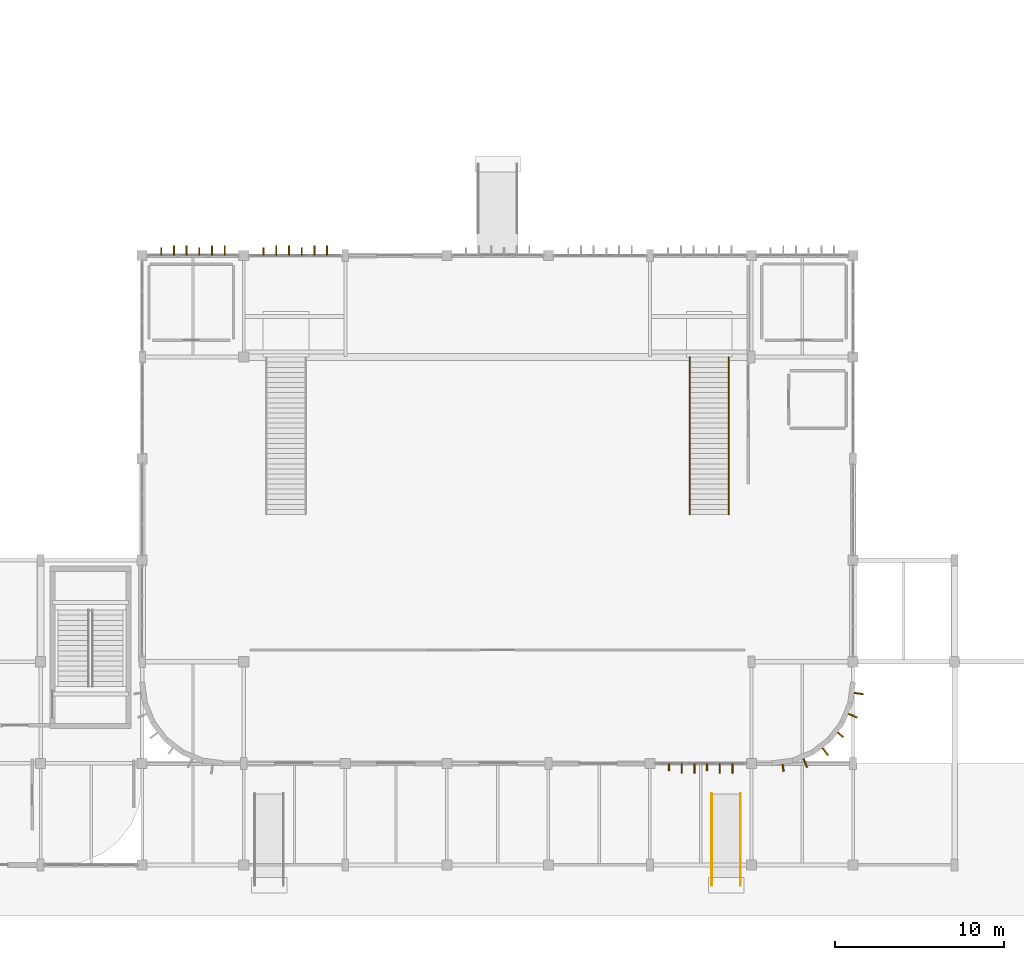
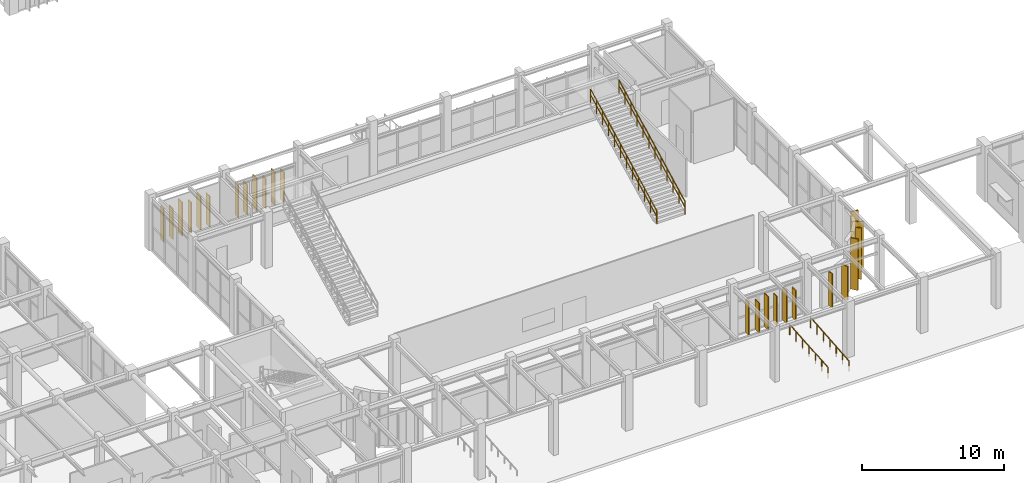
# One storey, part 65 of 76: 18 shading devices, 6 coverings, 4 railings.
"""IFC4 building model written with IfcOpenShell, lengths in metres."""

from ifc_helpers import new_model, si_unit, direction, frame, origin, origin_2d, place, context, subcontext, project, spatial, rectangle, circle, extrude, material, layer, layer_set, type_object, element, save


model = new_model("IFC4")

# Units and contexts
model_context = context("Model", 3, precision=1e-05, world=origin(), true_north=direction((0.0, 1.0)))
body_context = subcontext(model_context, "Body", "Model", "MODEL_VIEW")
ifc_project = project(units=[si_unit("LENGTHUNIT", "METRE"), si_unit("AREAUNIT", "SQUARE_METRE"), si_unit("VOLUMEUNIT", "CUBIC_METRE"), si_unit("PLANEANGLEUNIT", "RADIAN"), si_unit("MASSUNIT", "GRAM", prefix="KILO")], contexts=[model_context])

# Site, building, storey
site_placement = place(None, origin())
site = spatial("IfcSite", under=ifc_project, at=site_placement, CompositionType="ELEMENT")
building_placement = place(site_placement, origin())
building = spatial("IfcBuilding", under=site, at=building_placement, Name="Varnakota Square Police Headquarters", CompositionType="ELEMENT")
storey_placement = place(building_placement, origin())
storey = spatial("IfcBuildingStorey", under=building, at=storey_placement, Name="L00", CompositionType="ELEMENT", Elevation=0.0)

# Coverings
ifc_material_1 = material(Name="White Anodised Aluminium Vertical Facade Blade 420", Category="aluminium")
ifc_layer_1 = layer(ifc_material_1, 0.0849609375, Name="White Anodised Aluminium Vertical Facade Blade 420")
ifc_layer_set_1 = layer_set([ifc_layer_1], Name="White Anodised Aluminium Vertical Facade Blade 420")
covering_type_1 = type_object("IfcCoveringType", Name="COV-FIN-420", PredefinedType="CLADDING", material=ifc_layer_set_1)
covering_1_placement = place(storey_placement, frame((91.867431640625, 8.729736328125, 0.0400390625), z_axis=(0.0, 0.0, 1.0), x_axis=(0.991444861374, 0.13052619222, 0.0)))
element("IfcCovering", 1, at=covering_1_placement, inside=storey, type_object=covering_type_1, Name="Vertical aluminium facade fin FIN-0049", PredefinedType="CLADDING", context=body_context, shape_type="SweptSolid", body=[
    extrude(rectangle(XDim=0.0849609375, YDim=0.419921875, at=origin_2d()), origin(), (0.0, 0.0, 1.0), 2.909912109375),
])
covering_2_placement = place(storey_placement, frame((95.257080078125, 10.686767578125, 0.0400390625), z_axis=(0.0, 0.0, 1.0), x_axis=(0.608761429009, 0.793353340291, 0.0)))
element("IfcCovering", 2, at=covering_2_placement, inside=storey, type_object=covering_type_1, Name="Vertical aluminium facade fin FIN-0052", PredefinedType="CLADDING", context=body_context, shape_type="SweptSolid", body=[
    extrude(rectangle(XDim=0.0849609375, YDim=0.419921875, at=origin_2d()), origin(), (0.0, 0.0, 1.0), 4.4150390625),
])
ifc_material_2 = material(Name="White Anodised Aluminium Vertical Facade Blade 550", Category="aluminium")
ifc_layer_2 = layer(ifc_material_2, 0.0849609375, Name="White Anodised Aluminium Vertical Facade Blade 550")
ifc_layer_set_2 = layer_set([ifc_layer_2], Name="White Anodised Aluminium Vertical Facade Blade 550")
covering_type_2 = type_object("IfcCoveringType", Name="COV-FIN-550", PredefinedType="CLADDING", material=ifc_layer_set_2)
covering_3_placement = place(storey_placement, frame((93.181884765625, 9.015380859375, 0.0400390625), z_axis=(0.0, 0.0, 1.0), x_axis=(0.923879532511, 0.382683432365, 0.0)))
element("IfcCovering", 3, at=covering_3_placement, inside=storey, type_object=covering_type_2, Name="Vertical aluminium facade fin FIN-0050", PredefinedType="CLADDING", context=body_context, shape_type="SweptSolid", body=[
    extrude(rectangle(XDim=0.0849609375, YDim=0.550048828125, at=origin_2d()), origin(), (0.0, 0.0, 1.0), 2.909912109375),
])
covering_4_placement = place(storey_placement, frame((94.352783203125, 9.69140625, 0.0400390625), z_axis=(0.0, 0.0, 1.0), x_axis=(0.793353340291, 0.608761429009, 0.0)))
element("IfcCovering", 4, at=covering_4_placement, inside=storey, type_object=covering_type_2, Name="Vertical aluminium facade fin FIN-0051", PredefinedType="CLADDING", context=body_context, shape_type="SweptSolid", body=[
    extrude(rectangle(XDim=0.0849609375, YDim=0.550048828125, at=origin_2d()), origin(), (0.0, 0.0, 1.0), 4.4150390625),
])
for number, where, z_axis, x_axis, name in (
    (5, (95.984619140625, 11.818115234375, 0.0400390625), (0.0, 0.0, 1.0), (0.382683432365, 0.923879532511, 0.0), "Vertical aluminium facade fin FIN-0053"),
    (6, (96.334716796875, 13.1240234375, 0.0400390625), (0.0, 0.0, 1.0), (0.13052619222, 0.991444861374, 0.0), "Vertical aluminium facade fin FIN-0054"),
):
    element("IfcCovering", number, at=place(storey_placement, frame(where, z_axis=z_axis, x_axis=x_axis)), inside=storey, type_object=covering_type_2, Name=name, PredefinedType="CLADDING", context=body_context, shape_type="SweptSolid", body=[
        extrude(rectangle(XDim=0.0849609375, YDim=0.550048828125, at=origin_2d()), origin(), (0.0, 0.0, 1.0), 4.010009765625),
    ])

# Railings
ifc_material_3 = material(Name="Brushed Stainless Steel Tubular Handrail", Category="steel")
railing_type = type_object("IfcRailingType", Name="RL-HND-920", PredefinedType="HANDRAIL", material=ifc_material_3)
railing_1_placement = place(storey_placement, frame((86.35009765625, 23.698486328125, 0.0)))
element("IfcRailing", 7, at=railing_1_placement, inside=storey, type_object=railing_type, Name="Feature stair guard-handrail ST-CIV2-L", PredefinedType="HANDRAIL", context=body_context, shape_type="SweptSolid", body=[
    extrude(circle(Radius=0.02392578125, at=origin_2d()), frame((0.0, 0.0, 1.1259765625), z_axis=(0.0, 0.888649173997, 0.45858766398), x_axis=(-1.0, 0.0, 0.0)), (0.0, 0.0, 1.0), 10.467041015625),
    extrude(circle(Radius=0.01806640625, at=origin_2d()), frame((0.0, 0.0, 0.63232421875), z_axis=(0.0, 0.888649173997, 0.45858766398), x_axis=(-1.0, 0.0, 0.0)), (0.0, 0.0, 1.0), 10.467041015625),
    extrude(circle(Radius=0.02099609375, at=origin_2d()), origin(), (0.0, 0.0, 1.0), 1.101806640625),
    extrude(circle(Radius=0.02099609375, at=origin_2d()), frame((0.0, 0.845703125, 0.436279296875)), (0.0, 0.0, 1.0), 1.101806640625),
    extrude(circle(Radius=0.02099609375, at=origin_2d()), frame((0.0, 1.691162109375, 0.872802734375)), (0.0, 0.0, 1.0), 1.101806640625),
    extrude(circle(Radius=0.02099609375, at=origin_2d()), frame((0.0, 2.536865234375, 1.30908203125)), (0.0, 0.0, 1.0), 1.101806640625),
    extrude(circle(Radius=0.02099609375, at=origin_2d()), frame((0.0, 3.38232421875, 1.745361328125)), (0.0, 0.0, 1.0), 1.101806640625),
    extrude(circle(Radius=0.02099609375, at=origin_2d()), frame((0.0, 4.22802734375, 2.181884765625)), (0.0, 0.0, 1.0), 1.101806640625),
    extrude(circle(Radius=0.02099609375, at=origin_2d()), frame((0.0, 5.073486328125, 2.6181640625)), (0.0, 0.0, 1.0), 1.101806640625),
    extrude(circle(Radius=0.02099609375, at=origin_2d()), frame((0.0, 5.919189453125, 3.0546875)), (0.0, 0.0, 1.0), 1.101806640625),
    extrude(circle(Radius=0.02099609375, at=origin_2d()), frame((0.0, 6.7646484375, 3.490966796875)), (0.0, 0.0, 1.0), 1.101806640625),
    extrude(circle(Radius=0.02099609375, at=origin_2d()), frame((0.0, 7.6103515625, 3.92724609375)), (0.0, 0.0, 1.0), 1.101806640625),
    extrude(circle(Radius=0.02099609375, at=origin_2d()), frame((0.0, 8.455810546875, 4.36376953125)), (0.0, 0.0, 1.0), 1.101806640625),
    extrude(circle(Radius=0.02099609375, at=origin_2d()), frame((0.0, 9.301513671875, 4.800048828125)), (0.0, 0.0, 1.0), 1.101806640625),
])
railing_2_placement = place(storey_placement, frame((88.64990234375, 23.698486328125, 0.0)))
element("IfcRailing", 8, at=railing_2_placement, inside=storey, type_object=railing_type, Name="Feature stair guard-handrail ST-CIV2-R", PredefinedType="HANDRAIL", context=body_context, shape_type="SweptSolid", body=[
    extrude(circle(Radius=0.02392578125, at=origin_2d()), frame((0.0, 0.0, 1.1259765625), z_axis=(0.0, 0.888649173997, 0.45858766398), x_axis=(-1.0, 0.0, 0.0)), (0.0, 0.0, 1.0), 10.467041015625),
    extrude(circle(Radius=0.01806640625, at=origin_2d()), frame((0.0, 0.0, 0.63232421875), z_axis=(0.0, 0.888649173997, 0.45858766398), x_axis=(-1.0, 0.0, 0.0)), (0.0, 0.0, 1.0), 10.467041015625),
    extrude(circle(Radius=0.02099609375, at=origin_2d()), origin(), (0.0, 0.0, 1.0), 1.101806640625),
    extrude(circle(Radius=0.02099609375, at=origin_2d()), frame((0.0, 0.845703125, 0.436279296875)), (0.0, 0.0, 1.0), 1.101806640625),
    extrude(circle(Radius=0.02099609375, at=origin_2d()), frame((0.0, 1.691162109375, 0.872802734375)), (0.0, 0.0, 1.0), 1.101806640625),
    extrude(circle(Radius=0.02099609375, at=origin_2d()), frame((0.0, 2.536865234375, 1.30908203125)), (0.0, 0.0, 1.0), 1.101806640625),
    extrude(circle(Radius=0.02099609375, at=origin_2d()), frame((0.0, 3.38232421875, 1.745361328125)), (0.0, 0.0, 1.0), 1.101806640625),
    extrude(circle(Radius=0.02099609375, at=origin_2d()), frame((0.0, 4.22802734375, 2.181884765625)), (0.0, 0.0, 1.0), 1.101806640625),
    extrude(circle(Radius=0.02099609375, at=origin_2d()), frame((0.0, 5.073486328125, 2.6181640625)), (0.0, 0.0, 1.0), 1.101806640625),
    extrude(circle(Radius=0.02099609375, at=origin_2d()), frame((0.0, 5.919189453125, 3.0546875)), (0.0, 0.0, 1.0), 1.101806640625),
    extrude(circle(Radius=0.02099609375, at=origin_2d()), frame((0.0, 6.7646484375, 3.490966796875)), (0.0, 0.0, 1.0), 1.101806640625),
    extrude(circle(Radius=0.02099609375, at=origin_2d()), frame((0.0, 7.6103515625, 3.92724609375)), (0.0, 0.0, 1.0), 1.101806640625),
    extrude(circle(Radius=0.02099609375, at=origin_2d()), frame((0.0, 8.455810546875, 4.36376953125)), (0.0, 0.0, 1.0), 1.101806640625),
    extrude(circle(Radius=0.02099609375, at=origin_2d()), frame((0.0, 9.301513671875, 4.800048828125)), (0.0, 0.0, 1.0), 1.101806640625),
])
for number, where, name in (
    (9, (87.64990234375, 1.800048828125, -0.449951171875), "Accessible ramp handrail RMP-A2-L"),
    (10, (89.35009765625, 1.800048828125, -0.449951171875), "Accessible ramp handrail RMP-A2-R"),
):
    element("IfcRailing", number, at=place(storey_placement, frame(where)), inside=storey, type_object=railing_type, Name=name, PredefinedType="HANDRAIL", context=body_context, shape_type="SweptSolid", body=[
        extrude(circle(Radius=0.02392578125, at=origin_2d()), frame((0.0, 0.0, 0.89599609375), z_axis=(0.0, 0.996546379678, 0.083038022323), x_axis=(-1.0, 0.0, 0.0)), (0.0, 0.0, 1.0), 5.418701171875),
        extrude(circle(Radius=0.02099609375, at=origin_2d()), origin(), (0.0, 0.0, 1.0), 0.871826171875),
        extrude(circle(Radius=0.02099609375, at=origin_2d()), frame((0.0, 0.89990234375, 0.074951171875)), (0.0, 0.0, 1.0), 0.871826171875),
        extrude(circle(Radius=0.02099609375, at=origin_2d()), frame((0.0, 1.800048828125, 0.14990234375)), (0.0, 0.0, 1.0), 0.871826171875),
        extrude(circle(Radius=0.02099609375, at=origin_2d()), frame((0.0, 2.699951171875, 0.22509765625)), (0.0, 0.0, 1.0), 0.871826171875),
        extrude(circle(Radius=0.02099609375, at=origin_2d()), frame((0.0, 3.599853515625, 0.300048828125)), (0.0, 0.0, 1.0), 0.871826171875),
        extrude(circle(Radius=0.02099609375, at=origin_2d()), frame((0.0, 4.5, 0.375)), (0.0, 0.0, 1.0), 0.871826171875),
        extrude(circle(Radius=0.02099609375, at=origin_2d()), frame((0.0, 5.39990234375, 0.449951171875)), (0.0, 0.0, 1.0), 0.871826171875),
    ])

# Shading devices
ifc_material_4 = material(Name="Pale-Anodised Aluminium Solar Blade", Category="aluminium")
shading_device_type_1 = type_object("IfcShadingDeviceType", Name="SHD-FIN-420", PredefinedType="USERDEFINED", material=ifc_material_4)
shading_device_1_placement = place(storey_placement, frame((85.125, 8.762451171875, 0.0400390625), z_axis=(0.0, 0.0, 1.0), x_axis=(1.0, 0.0, 0.0)))
element("IfcShadingDevice", 11, at=shading_device_1_placement, inside=storey, type_object=shading_device_type_1, Name="Vertical aluminium facade fin FIN-0001", ObjectType="FIN", PredefinedType="USERDEFINED", context=body_context, shape_type="SweptSolid", body=[
    extrude(rectangle(XDim=0.074951171875, YDim=0.419921875, at=origin_2d()), origin(), (0.0, 0.0, 1.0), 2.860107421875),
])
shading_device_2_placement = place(storey_placement, frame((87.375, 8.762451171875, 0.0400390625), z_axis=(0.0, 0.0, 1.0), x_axis=(1.0, 0.0, 0.0)))
element("IfcShadingDevice", 12, at=shading_device_2_placement, inside=storey, type_object=shading_device_type_1, Name="Vertical aluminium facade fin FIN-0004", ObjectType="FIN", PredefinedType="USERDEFINED", context=body_context, shape_type="SweptSolid", body=[
    extrude(rectangle(XDim=0.074951171875, YDim=0.419921875, at=origin_2d()), origin(), (0.0, 0.0, 1.0), 2.580078125),
])
shading_device_3_placement = place(storey_placement, frame((55.125, 39.237548828125, 0.0400390625), z_axis=(0.0, 0.0, 1.0), x_axis=(1.0, 0.0, 0.0)))
element("IfcShadingDevice", 13, at=shading_device_3_placement, inside=storey, type_object=shading_device_type_1, Name="Vertical aluminium facade fin FIN-0007", ObjectType="FIN", PredefinedType="USERDEFINED", context=body_context, shape_type="SweptSolid", body=[
    extrude(rectangle(XDim=0.074951171875, YDim=0.419921875, at=origin_2d()), origin(), (0.0, 0.0, 1.0), 2.909912109375),
])
shading_device_4_placement = place(storey_placement, frame((57.375, 39.237548828125, 0.0400390625), z_axis=(0.0, 0.0, 1.0), x_axis=(1.0, 0.0, 0.0)))
element("IfcShadingDevice", 14, at=shading_device_4_placement, inside=storey, type_object=shading_device_type_1, Name="Vertical aluminium facade fin FIN-0010", ObjectType="FIN", PredefinedType="USERDEFINED", context=body_context, shape_type="SweptSolid", body=[
    extrude(rectangle(XDim=0.074951171875, YDim=0.419921875, at=origin_2d()), origin(), (0.0, 0.0, 1.0), 2.6298828125),
])
shading_device_5_placement = place(storey_placement, frame((61.175048828125, 39.237548828125, 0.0400390625), z_axis=(0.0, 0.0, 1.0), x_axis=(1.0, 0.0, 0.0)))
element("IfcShadingDevice", 15, at=shading_device_5_placement, inside=storey, type_object=shading_device_type_1, Name="Vertical aluminium facade fin FIN-0013", ObjectType="FIN", PredefinedType="USERDEFINED", context=body_context, shape_type="SweptSolid", body=[
    extrude(rectangle(XDim=0.074951171875, YDim=0.419921875, at=origin_2d()), origin(), (0.0, 0.0, 1.0), 2.860107421875),
])
shading_device_6_placement = place(storey_placement, frame((63.425048828125, 39.237548828125, 0.0400390625), z_axis=(0.0, 0.0, 1.0), x_axis=(1.0, 0.0, 0.0)))
element("IfcShadingDevice", 16, at=shading_device_6_placement, inside=storey, type_object=shading_device_type_1, Name="Vertical aluminium facade fin FIN-0016", ObjectType="FIN", PredefinedType="USERDEFINED", context=body_context, shape_type="SweptSolid", body=[
    extrude(rectangle(XDim=0.074951171875, YDim=0.419921875, at=origin_2d()), origin(), (0.0, 0.0, 1.0), 2.580078125),
])
shading_device_type_2 = type_object("IfcShadingDeviceType", Name="SHD-FIN-550", PredefinedType="USERDEFINED", material=ifc_material_4)
shading_device_7_placement = place(storey_placement, frame((85.875, 8.697509765625, 0.0400390625), z_axis=(0.0, 0.0, 1.0), x_axis=(1.0, 0.0, 0.0)))
element("IfcShadingDevice", 17, at=shading_device_7_placement, inside=storey, type_object=shading_device_type_2, Name="Vertical aluminium facade fin FIN-0002", ObjectType="FIN", PredefinedType="USERDEFINED", context=body_context, shape_type="SweptSolid", body=[
    extrude(rectangle(XDim=0.074951171875, YDim=0.550048828125, at=origin_2d()), origin(), (0.0, 0.0, 1.0), 2.580078125),
])
for number, where, z_axis, x_axis, name in (
    (18, (86.625, 8.697509765625, 0.0400390625), (0.0, 0.0, 1.0), (1.0, 0.0, 0.0), "Vertical aluminium facade fin FIN-0003"),
    (19, (88.125, 8.697509765625, 0.0400390625), (0.0, 0.0, 1.0), (1.0, 0.0, 0.0), "Vertical aluminium facade fin FIN-0005"),
):
    element("IfcShadingDevice", number, at=place(storey_placement, frame(where, z_axis=z_axis, x_axis=x_axis)), inside=storey, type_object=shading_device_type_2, Name=name, ObjectType="FIN", PredefinedType="USERDEFINED", context=body_context, shape_type="SweptSolid", body=[
        extrude(rectangle(XDim=0.074951171875, YDim=0.550048828125, at=origin_2d()), origin(), (0.0, 0.0, 1.0), 2.860107421875),
    ])
shading_device_8_placement = place(storey_placement, frame((88.875, 8.697509765625, 0.0400390625), z_axis=(0.0, 0.0, 1.0), x_axis=(1.0, 0.0, 0.0)))
element("IfcShadingDevice", 20, at=shading_device_8_placement, inside=storey, type_object=shading_device_type_2, Name="Vertical aluminium facade fin FIN-0006", ObjectType="FIN", PredefinedType="USERDEFINED", context=body_context, shape_type="SweptSolid", body=[
    extrude(rectangle(XDim=0.074951171875, YDim=0.550048828125, at=origin_2d()), origin(), (0.0, 0.0, 1.0), 2.580078125),
])
shading_device_9_placement = place(storey_placement, frame((55.875, 39.302490234375, 0.0400390625), z_axis=(0.0, 0.0, 1.0), x_axis=(1.0, 0.0, 0.0)))
element("IfcShadingDevice", 21, at=shading_device_9_placement, inside=storey, type_object=shading_device_type_2, Name="Vertical aluminium facade fin FIN-0008", ObjectType="FIN", PredefinedType="USERDEFINED", context=body_context, shape_type="SweptSolid", body=[
    extrude(rectangle(XDim=0.074951171875, YDim=0.550048828125, at=origin_2d()), origin(), (0.0, 0.0, 1.0), 2.6298828125),
])
for number, where, z_axis, x_axis, name in (
    (22, (56.625, 39.302490234375, 0.0400390625), (0.0, 0.0, 1.0), (1.0, 0.0, 0.0), "Vertical aluminium facade fin FIN-0009"),
    (23, (58.125, 39.302490234375, 0.0400390625), (0.0, 0.0, 1.0), (1.0, 0.0, 0.0), "Vertical aluminium facade fin FIN-0011"),
):
    element("IfcShadingDevice", number, at=place(storey_placement, frame(where, z_axis=z_axis, x_axis=x_axis)), inside=storey, type_object=shading_device_type_2, Name=name, ObjectType="FIN", PredefinedType="USERDEFINED", context=body_context, shape_type="SweptSolid", body=[
        extrude(rectangle(XDim=0.074951171875, YDim=0.550048828125, at=origin_2d()), origin(), (0.0, 0.0, 1.0), 2.909912109375),
    ])
shading_device_10_placement = place(storey_placement, frame((58.875, 39.302490234375, 0.0400390625), z_axis=(0.0, 0.0, 1.0), x_axis=(1.0, 0.0, 0.0)))
element("IfcShadingDevice", 24, at=shading_device_10_placement, inside=storey, type_object=shading_device_type_2, Name="Vertical aluminium facade fin FIN-0012", ObjectType="FIN", PredefinedType="USERDEFINED", context=body_context, shape_type="SweptSolid", body=[
    extrude(rectangle(XDim=0.074951171875, YDim=0.550048828125, at=origin_2d()), origin(), (0.0, 0.0, 1.0), 2.6298828125),
])
shading_device_11_placement = place(storey_placement, frame((61.925048828125, 39.302490234375, 0.0400390625), z_axis=(0.0, 0.0, 1.0), x_axis=(1.0, 0.0, 0.0)))
element("IfcShadingDevice", 25, at=shading_device_11_placement, inside=storey, type_object=shading_device_type_2, Name="Vertical aluminium facade fin FIN-0014", ObjectType="FIN", PredefinedType="USERDEFINED", context=body_context, shape_type="SweptSolid", body=[
    extrude(rectangle(XDim=0.074951171875, YDim=0.550048828125, at=origin_2d()), origin(), (0.0, 0.0, 1.0), 2.580078125),
])
for number, where, z_axis, x_axis, name in (
    (26, (62.675048828125, 39.302490234375, 0.0400390625), (0.0, 0.0, 1.0), (1.0, 0.0, 0.0), "Vertical aluminium facade fin FIN-0015"),
    (27, (64.175048828125, 39.302490234375, 0.0400390625), (0.0, 0.0, 1.0), (1.0, 0.0, 0.0), "Vertical aluminium facade fin FIN-0017"),
):
    element("IfcShadingDevice", number, at=place(storey_placement, frame(where, z_axis=z_axis, x_axis=x_axis)), inside=storey, type_object=shading_device_type_2, Name=name, ObjectType="FIN", PredefinedType="USERDEFINED", context=body_context, shape_type="SweptSolid", body=[
        extrude(rectangle(XDim=0.074951171875, YDim=0.550048828125, at=origin_2d()), origin(), (0.0, 0.0, 1.0), 2.860107421875),
    ])
shading_device_12_placement = place(storey_placement, frame((64.925048828125, 39.302490234375, 0.0400390625), z_axis=(0.0, 0.0, 1.0), x_axis=(1.0, 0.0, 0.0)))
element("IfcShadingDevice", 28, at=shading_device_12_placement, inside=storey, type_object=shading_device_type_2, Name="Vertical aluminium facade fin FIN-0018", ObjectType="FIN", PredefinedType="USERDEFINED", context=body_context, shape_type="SweptSolid", body=[
    extrude(rectangle(XDim=0.074951171875, YDim=0.550048828125, at=origin_2d()), origin(), (0.0, 0.0, 1.0), 2.580078125),
])

save(model, "model.ifc")
